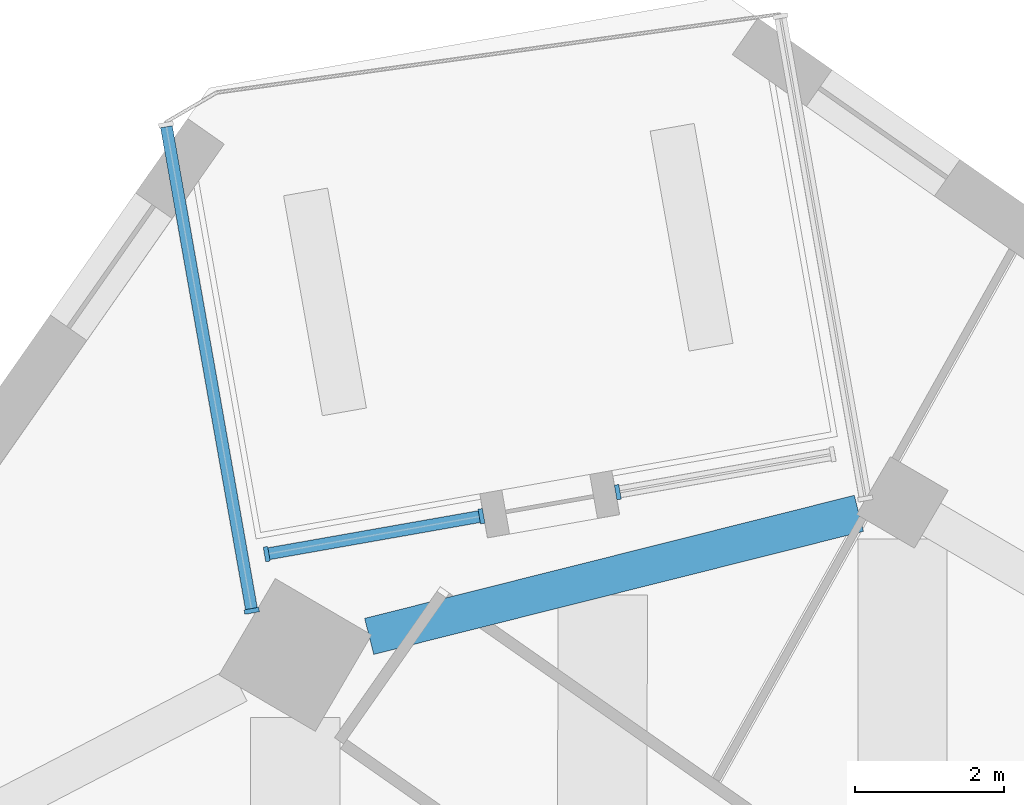
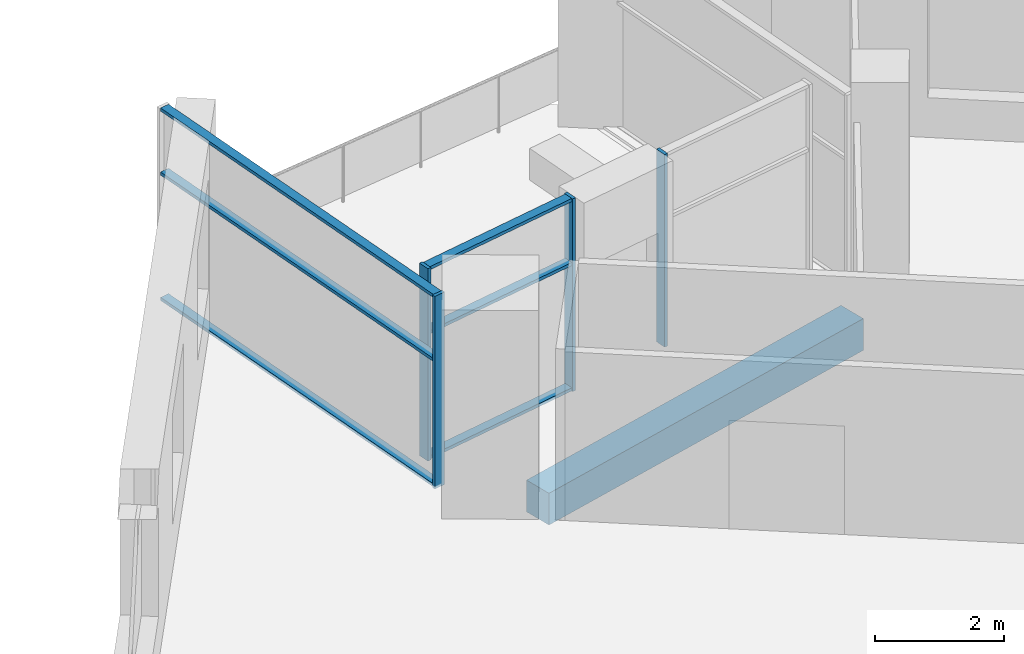
# One storey, part 2 of 13: 10 members, 1 beam, 3 elements without a shape of their own.
"""IFC4 building model written with IfcOpenShell, lengths in metres."""

from ifc_helpers import new_model, si_unit, direction, frame, origin, origin_2d, place, context, subcontext, project, spatial, rectangle, extrude, material, material_profile, profile_set, type_object, element, aggregate, save


model = new_model("IFC4")

# Units and contexts
model_context = context("Model", 3, precision=1e-05, world=origin(), true_north=direction((0.0, 1.0)))
body_context = subcontext(model_context, "Body", "Model", "MODEL_VIEW")
ifc_project = project(units=[si_unit("LENGTHUNIT", "METRE"), si_unit("AREAUNIT", "SQUARE_METRE"), si_unit("VOLUMEUNIT", "CUBIC_METRE"), si_unit("PLANEANGLEUNIT", "RADIAN"), si_unit("MASSUNIT", "GRAM", prefix="KILO")], contexts=[model_context])

# Site, building, storey
site_placement = place(None, origin())
site = spatial("IfcSite", under=ifc_project, at=site_placement, CompositionType="ELEMENT")
building_placement = place(site_placement, origin())
building = spatial("IfcBuilding", under=site, at=building_placement, Name="Dilmun Exchange Tower", CompositionType="ELEMENT")
storey_placement = place(building_placement, frame((0.0, 0.0, 250.89990234375)))
storey = spatial("IfcBuildingStorey", under=building, at=storey_placement, Name="L59", CompositionType="ELEMENT", Elevation=250.89990234375)

# Curtain wall, member
ifc_material_1 = material(Name="Anodised aluminium and clear glass", Category="aluminium")
curtain_wall_type = type_object("IfcCurtainWallType", Name="Garden corner glazing", PredefinedType="NOTDEFINED", material=ifc_material_1)
curtain_wall_1_placement = place(storey_placement, origin())
curtain_wall_1 = element("IfcCurtainWall", 1, at=curtain_wall_1_placement, inside=storey, type_object=curtain_wall_type, Name="Garden corner glazing run GC2.1", PredefinedType="NOTDEFINED")
ifc_material_2 = material(Name="Anodised aluminium", Category="aluminium")
ifc_material_profile_1 = material_profile(ifc_material_2, rectangle(XDim=0.199951171875, YDim=0.06005859375, at=origin_2d()), Name="AL 60x200")
ifc_profile_set_1 = profile_set([ifc_material_profile_1], Name="Anodised aluminium")
member_type_1 = type_object("IfcMemberType", Name="Garden corner glazing mullion 60 x 200", PredefinedType="MULLION", material=ifc_profile_set_1)
member_1_placement = place(storey_placement, frame((0.417236328125, 28.643798828125, 0.0), z_axis=(0.0, 0.0, 1.0), x_axis=(0.173630743351, -0.984810826993, 0.0)))
member_1 = element("IfcMember", 2, at=member_1_placement, type_object=member_type_1, Name="GC2.1 mullion 2", PredefinedType="MULLION", context=body_context, shape_type="SweptSolid", body=[
    extrude(rectangle(XDim=0.199951171875, YDim=0.06005859375, at=origin_2d()), origin(), (0.0, 0.0, 1.0), 3.64013671875),
])
aggregate(curtain_wall_1, [member_1])

# Curtain wall, members
curtain_wall_2_placement = place(storey_placement, origin())
curtain_wall_2 = element("IfcCurtainWall", 3, at=curtain_wall_2_placement, inside=storey, type_object=curtain_wall_type, Name="Garden corner glazing run GC2.3", PredefinedType="NOTDEFINED")
member_2_placement = place(storey_placement, frame((-1.41455078125, 28.32080078125, 0.0), z_axis=(0.0, 0.0, 1.0), x_axis=(0.173630743351, -0.984810826993, 0.0)))
member_2 = element("IfcMember", 4, at=member_2_placement, type_object=member_type_1, Name="GC2.3 mullion 1", PredefinedType="MULLION", context=body_context, shape_type="SweptSolid", body=[
    extrude(rectangle(XDim=0.199951171875, YDim=0.06005859375, at=origin_2d()), origin(), (0.0, 0.0, 1.0), 3.64013671875),
])
member_3_placement = place(storey_placement, frame((-4.299072265625, 27.81201171875, 0.0), z_axis=(0.0, 0.0, 1.0), x_axis=(0.173630743351, -0.984810826993, 0.0)))
member_3 = element("IfcMember", 5, at=member_3_placement, type_object=member_type_1, Name="GC2.3 mullion 2", PredefinedType="MULLION", context=body_context, shape_type="SweptSolid", body=[
    extrude(rectangle(XDim=0.199951171875, YDim=0.06005859375, at=origin_2d()), origin(), (0.0, 0.0, 1.0), 3.64013671875),
])

# Curtain wall, member
curtain_wall_3_placement = place(storey_placement, origin())
curtain_wall_3 = element("IfcCurtainWall", 6, at=curtain_wall_3_placement, inside=storey, type_object=curtain_wall_type, Name="Garden corner glazing run GC3.1", PredefinedType="NOTDEFINED")
member_4_placement = place(storey_placement, frame((-4.499755859375, 27.050048828125, 0.0), z_axis=(0.0, 0.0, 1.0), x_axis=(-0.984807317735, -0.173650646227, 0.0)))
member_4 = element("IfcMember", 7, at=member_4_placement, type_object=member_type_1, Name="GC3.1 mullion 1", PredefinedType="MULLION", context=body_context, shape_type="SweptSolid", body=[
    extrude(rectangle(XDim=0.199951171875, YDim=0.06005859375, at=origin_2d()), origin(), (0.0, 0.0, 1.0), 3.64013671875),
])

# Member
ifc_material_profile_2 = material_profile(ifc_material_2, rectangle(XDim=0.159912109375, YDim=0.06005859375, at=origin_2d()), Name="AL 60x160")
ifc_profile_set_2 = profile_set([ifc_material_profile_2], Name="Anodised aluminium")
member_type_2 = type_object("IfcMemberType", Name="Garden corner glazing transom 60 x 160", PredefinedType="USERDEFINED", material=ifc_profile_set_2)
member_5_placement = place(storey_placement, frame((-1.444091796875, 28.3154296875, 0.030029296875), z_axis=(-0.984816950826, -0.173596006194, 0.0), x_axis=(0.173596006194, -0.984816950826, 0.0)))
member_5 = element("IfcMember", 8, at=member_5_placement, type_object=member_type_2, Name="GC2.3 transom 1.1", ObjectType="TRANSOM", PredefinedType="USERDEFINED", context=body_context, shape_type="SweptSolid", body=[
    extrude(rectangle(XDim=0.159912109375, YDim=0.06005859375, at=origin_2d()), origin(), (0.0, 0.0, 1.0), 2.868896484375),
])

member_6_placement = place(storey_placement, frame((-1.444091796875, 28.3154296875, 2.400146484375), z_axis=(-0.984816950826, -0.173596006194, 0.0), x_axis=(0.173596006194, -0.984816950826, 0.0)))
member_6 = element("IfcMember", 9, at=member_6_placement, type_object=member_type_2, Name="GC2.3 transom 1.2", ObjectType="TRANSOM", PredefinedType="USERDEFINED", context=body_context, shape_type="SweptSolid", body=[
    extrude(rectangle(XDim=0.159912109375, YDim=0.06005859375, at=origin_2d()), origin(), (0.0, 0.0, 1.0), 2.868896484375),
])

member_7_placement = place(storey_placement, frame((-1.444091796875, 28.3154296875, 3.610107421875), z_axis=(-0.984816950826, -0.173596006194, 0.0), x_axis=(0.173596006194, -0.984816950826, 0.0)))
member_7 = element("IfcMember", 10, at=member_7_placement, type_object=member_type_2, Name="GC2.3 transom 1.3", ObjectType="TRANSOM", PredefinedType="USERDEFINED", context=body_context, shape_type="SweptSolid", body=[
    extrude(rectangle(XDim=0.159912109375, YDim=0.06005859375, at=origin_2d()), origin(), (0.0, 0.0, 1.0), 2.868896484375),
])

aggregate(curtain_wall_2, [member_2, member_3, member_5, member_6, member_7])

member_8_placement = place(storey_placement, frame((-4.505126953125, 27.07958984375, 0.030029296875), z_axis=(-0.173632748143, 0.984810473529, 0.0), x_axis=(-0.984810473529, -0.173632748143, 0.0)))
member_8 = element("IfcMember", 11, at=member_8_placement, type_object=member_type_2, Name="GC3.1 transom 1.1", ObjectType="TRANSOM", PredefinedType="USERDEFINED", context=body_context, shape_type="SweptSolid", body=[
    extrude(rectangle(XDim=0.159912109375, YDim=0.06005859375, at=origin_2d()), origin(), (0.0, 0.0, 1.0), 6.572021484375),
])

member_9_placement = place(storey_placement, frame((-4.505126953125, 27.07958984375, 2.400146484375), z_axis=(-0.173632748143, 0.984810473529, 0.0), x_axis=(-0.984810473529, -0.173632748143, 0.0)))
member_9 = element("IfcMember", 12, at=member_9_placement, type_object=member_type_2, Name="GC3.1 transom 1.2", ObjectType="TRANSOM", PredefinedType="USERDEFINED", context=body_context, shape_type="SweptSolid", body=[
    extrude(rectangle(XDim=0.159912109375, YDim=0.06005859375, at=origin_2d()), origin(), (0.0, 0.0, 1.0), 6.572021484375),
])

member_10_placement = place(storey_placement, frame((-4.505126953125, 27.07958984375, 3.610107421875), z_axis=(-0.173632748143, 0.984810473529, 0.0), x_axis=(-0.984810473529, -0.173632748143, 0.0)))
member_10 = element("IfcMember", 13, at=member_10_placement, type_object=member_type_2, Name="GC3.1 transom 1.3", ObjectType="TRANSOM", PredefinedType="USERDEFINED", context=body_context, shape_type="SweptSolid", body=[
    extrude(rectangle(XDim=0.159912109375, YDim=0.06005859375, at=origin_2d()), origin(), (0.0, 0.0, 1.0), 6.572021484375),
])

aggregate(curtain_wall_3, [member_4, member_8, member_9, member_10])

# Beam
ifc_material_3 = material(Name="Concrete C40/50", Category="concrete")
ifc_material_profile_3 = material_profile(ifc_material_3, rectangle(XDim=0.5, YDim=0.60009765625, at=origin_2d()), Name="500 x 600")
ifc_profile_set_3 = profile_set([ifc_material_profile_3], Name="Concrete C40/50")
beam_type = type_object("IfcBeamType", Name="RC ring beam 500 x 600 C40/50", PredefinedType="SPANDREL", material=ifc_profile_set_3)
beam_placement = place(storey_placement, frame((3.6552734375, 28.359130859375, -0.659912109375), z_axis=(-0.969853854997, -0.243687299522, 0.0), x_axis=(0.243687299522, -0.969853854997, 0.0)))
element("IfcBeam", 14, at=beam_placement, inside=storey, type_object=beam_type, Name="Ring beam 16", PredefinedType="SPANDREL", context=body_context, shape_type="SweptSolid", body=[
    extrude(rectangle(XDim=0.5, YDim=0.60009765625, at=origin_2d()), origin(), (0.0, 0.0, 1.0), 6.78271484375),
])

save(model, "model.ifc")
